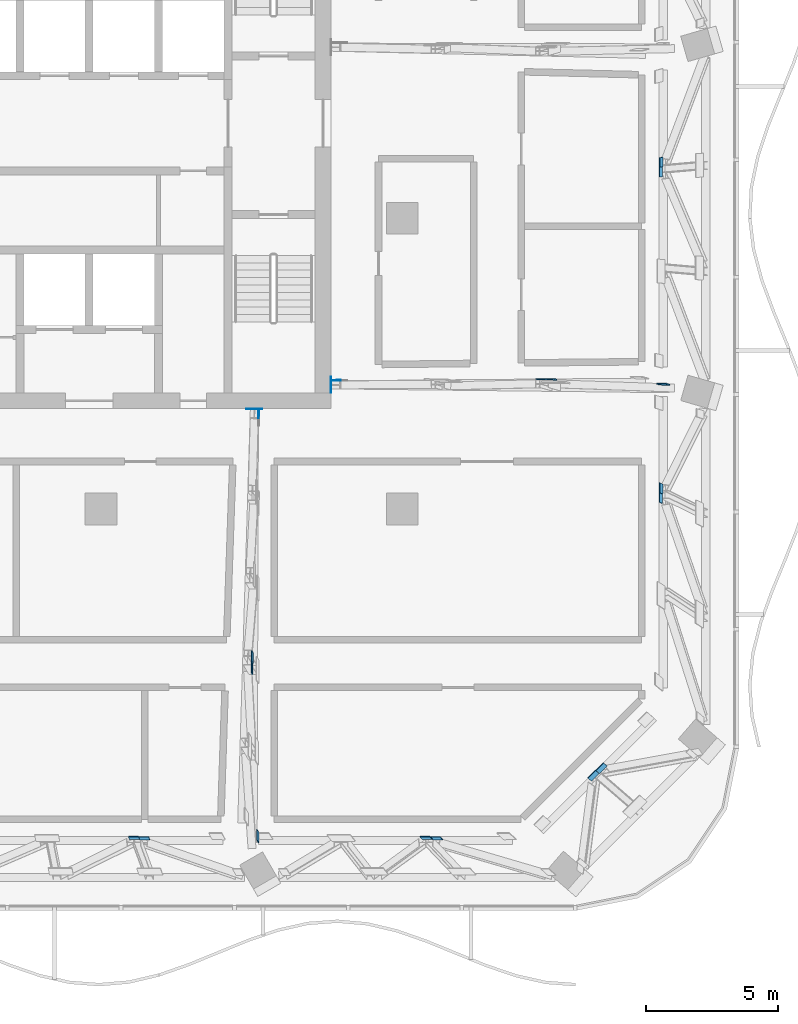
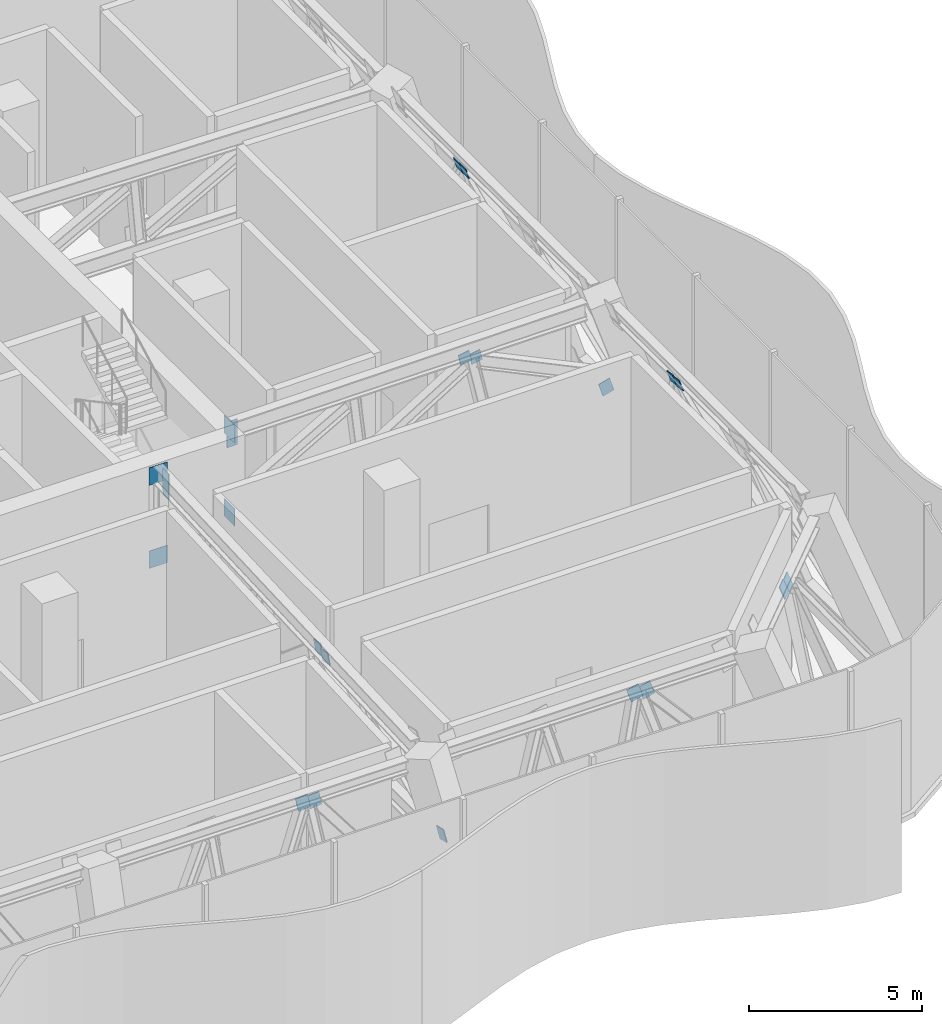
# One storey, part 20 of 29: 22 discrete accessories.
"""IFC4 building model written with IfcOpenShell, lengths in metres."""

from ifc_helpers import new_model, si_unit, direction, frame, origin, origin_2d, place, context, subcontext, project, spatial, rectangle, extrude, material, layer, layer_set, type_object, element, save


model = new_model("IFC4")

# Units and contexts
model_context = context("Model", 3, precision=1e-05, world=origin(), true_north=direction((0.0, 1.0)))
body_context = subcontext(model_context, "Body", "Model", "MODEL_VIEW")
ifc_project = project(units=[si_unit("LENGTHUNIT", "METRE"), si_unit("AREAUNIT", "SQUARE_METRE"), si_unit("VOLUMEUNIT", "CUBIC_METRE"), si_unit("PLANEANGLEUNIT", "RADIAN"), si_unit("MASSUNIT", "GRAM", prefix="KILO")], contexts=[model_context])

# Site, building, storey
site_placement = place(None, origin())
site = spatial("IfcSite", under=ifc_project, at=site_placement, CompositionType="ELEMENT")
building_placement = place(site_placement, origin())
building = spatial("IfcBuilding", under=site, at=building_placement, Name="Mopane Tessera Tower", CompositionType="ELEMENT")
storey_placement = place(building_placement, frame((0.0, 0.0, 315.39990234375)))
storey = spatial("IfcBuildingStorey", under=building, at=storey_placement, Name="L69", CompositionType="ELEMENT", Elevation=315.39990234375)

# Discrete accessories
ifc_material_1 = material(Name="Structural steel S460", Category="steel")
ifc_layer_1 = layer(ifc_material_1, 0.014892578125)
ifc_layer_set_1 = layer_set([ifc_layer_1], Name="Structural steel S460")
discrete_accessory_type_1 = type_object("IfcDiscreteAccessoryType", Name="Cast-in anchor plate 15 mm", PredefinedType="ANCHORPLATE", material=ifc_layer_set_1)
for number, where, z_axis, x_axis, name in (
    (1, (14.407470703125, -6.30029296875, 2.10009765625), (0.0, 0.0, 1.0), (1.0, 0.0, 0.0), "Cast-in anchor plate s ot L69 E1 b"),
    (2, (14.407470703125, -6.2998046875, 5.030029296875), (0.0, 0.0, 1.0), (1.0, 0.0, 0.0), "Cast-in anchor plate s ot L69 E1 t"),
    (3, (11.501220703125, -7.20751953125, 2.10009765625), (0.0, 0.0, 1.0), (0.0, -1.0, 0.0), "Cast-in anchor plate s ot L69 S3 b"),
    (4, (11.500732421875, -7.20751953125, 5.030029296875), (0.0, 0.0, 1.0), (0.0, -1.0, 0.0), "Cast-in anchor plate s ot L69 S3 t"),
):
    element("IfcDiscreteAccessory", number, at=place(storey_placement, frame(where, z_axis=z_axis, x_axis=x_axis)), inside=storey, type_object=discrete_accessory_type_1, Name=name, PredefinedType="ANCHORPLATE", context=body_context, shape_type="SweptSolid", body=[
        extrude(rectangle(XDim=0.014892578125, YDim=0.60498046875, at=origin_2d()), origin(), (0.0, 0.0, 1.0), 0.6201171875),
    ])
ifc_material_2 = material(Name="Structural steel S460", Category="steel")
ifc_layer_2 = layer(ifc_material_2, 0.030029296875)
ifc_layer_set_2 = layer_set([ifc_layer_2], Name="Structural steel S460")
discrete_accessory_type_2 = type_object("IfcDiscreteAccessoryType", Name="Truss node plate 30 mm", PredefinedType="BRACKET", material=ifc_layer_set_2)
discrete_accessory_1_placement = place(storey_placement, frame((14.589599609375, -6.1318359375, 4.580078125), z_axis=(-0.004611993812, 0.001085175015, 0.999988775891), x_axis=(-0.038361252739, 0.99926314021, -0.00126131141)))
element("IfcDiscreteAccessory", 5, at=discrete_accessory_1_placement, inside=storey, type_object=discrete_accessory_type_2, Name="Truss node plate s ot L69 E1 1", PredefinedType="BRACKET", context=body_context, shape_type="SweptSolid", body=[
    extrude(rectangle(XDim=0.030029296875, YDim=0.35009765625, at=origin_2d()), origin(), (0.0, 0.0, 1.0), 0.89990234375),
])
discrete_accessory_2_placement = place(storey_placement, frame((22.398681640625, -6.09716796875, 4.76025390625), z_axis=(-0.188911649404, 0.054544912856, 0.98047806768), x_axis=(0.021548201388, 0.998446023713, -0.051392730496)))
element("IfcDiscreteAccessory", 6, at=discrete_accessory_2_placement, inside=storey, type_object=discrete_accessory_type_2, Name="Truss node plate s ot L69 E1 4", PredefinedType="BRACKET", context=body_context, shape_type="SweptSolid", body=[
    extrude(rectangle(XDim=0.030029296875, YDim=0.35986328125, at=origin_2d()), origin(), (0.0, 0.0, 1.0), 0.366943359375),
])
discrete_accessory_3_placement = place(storey_placement, frame((22.767333984375, -6.10107421875, 4.66748046875), z_axis=(-0.197200504573, 0.057101829607, 0.978698800475), x_axis=(0.023186938557, 0.99829468772, -0.05357314952)))
element("IfcDiscreteAccessory", 7, at=discrete_accessory_3_placement, inside=storey, type_object=discrete_accessory_type_2, Name="Truss node plate s ot L69 E1 6", PredefinedType="BRACKET", context=body_context, shape_type="SweptSolid", body=[
    extrude(rectangle(XDim=0.030029296875, YDim=0.35986328125, at=origin_2d()), origin(), (0.0, 0.0, 1.0), 0.36767578125),
])
discrete_accessory_4_placement = place(storey_placement, frame((27.031494140625, -6.292236328125, 2.193359375), z_axis=(-0.27478149872, 0.079357328707, 0.958226247992), x_axis=(0.032706240365, 0.996782933613, -0.073171614026)))
element("IfcDiscreteAccessory", 8, at=discrete_accessory_4_placement, inside=storey, type_object=discrete_accessory_type_2, Name="Truss node plate s ot L69 E1 8", PredefinedType="BRACKET", context=body_context, shape_type="SweptSolid", body=[
    extrude(rectangle(XDim=0.030029296875, YDim=0.382568359375, at=origin_2d()), origin(), (0.0, 0.0, 1.0), 0.4521484375),
])
discrete_accessory_5_placement = place(storey_placement, frame((11.664306640625, -7.389404296875, 4.580078125), z_axis=(-0.001627771387, 0.002984247543, 0.999994222297), x_axis=(0.999617413732, -0.027606224468, 0.001709542309)))
element("IfcDiscreteAccessory", 9, at=discrete_accessory_5_placement, inside=storey, type_object=discrete_accessory_type_2, Name="Truss node plate s ot L69 S3 1", PredefinedType="BRACKET", context=body_context, shape_type="SweptSolid", body=[
    extrude(rectangle(XDim=0.030029296875, YDim=0.35009765625, at=origin_2d()), origin(), (0.0, 0.0, 1.0), 0.89990234375),
])
discrete_accessory_6_placement = place(storey_placement, frame((11.435791015625, -16.637939453125, 4.745361328125), z_axis=(-0.08667752402, 0.150085914075, 0.984866095074), x_axis=(0.996231246237, 0.009871758371, 0.086173385723)))
element("IfcDiscreteAccessory", 10, at=discrete_accessory_6_placement, inside=storey, type_object=discrete_accessory_type_2, Name="Truss node plate s ot L69 S3 6", PredefinedType="BRACKET", context=body_context, shape_type="SweptSolid", body=[
    extrude(rectangle(XDim=0.030029296875, YDim=0.41357421875, at=origin_2d()), origin(), (0.0, 0.0, 1.0), 0.419677734375),
])
discrete_accessory_7_placement = place(storey_placement, frame((11.43310546875, -17.058349609375, 4.667236328125), z_axis=(-0.090576314756, 0.156186081213, 0.983565879461), x_axis=(0.995888495534, 0.012790206319, 0.089680070722)))
element("IfcDiscreteAccessory", 11, at=discrete_accessory_7_placement, inside=storey, type_object=discrete_accessory_type_2, Name="Truss node plate s ot L69 S3 8", PredefinedType="BRACKET", context=body_context, shape_type="SweptSolid", body=[
    extrude(rectangle(XDim=0.030029296875, YDim=0.41357421875, at=origin_2d()), origin(), (0.0, 0.0, 1.0), 0.42041015625),
])
discrete_accessory_8_placement = place(storey_placement, frame((11.654296875, -23.4296875, 2.19921875), z_axis=(-0.139576199359, 0.241338926382, 0.960350981249), x_axis=(0.990208107512, 0.031542511996, 0.135988873642)))
element("IfcDiscreteAccessory", 12, at=discrete_accessory_8_placement, inside=storey, type_object=discrete_accessory_type_2, Name="Truss node plate s ot L69 S3 11", PredefinedType="BRACKET", context=body_context, shape_type="SweptSolid", body=[
    extrude(rectangle(XDim=0.030029296875, YDim=0.421630859375, at=origin_2d()), origin(), (0.0, 0.0, 1.0), 0.43896484375),
])
discrete_accessory_9_placement = place(storey_placement, frame((6.963623046875, -23.500244140625, 4.9921875), z_axis=(-0.093340056183, 0.256833785167, 0.961937649075), x_axis=(0.02544129296, 0.966455392144, -0.255571351305)))
element("IfcDiscreteAccessory", 13, at=discrete_accessory_9_placement, inside=storey, type_object=discrete_accessory_type_2, Name="Truss node plate s bt L69 S2-S3 4", PredefinedType="BRACKET", context=body_context, shape_type="SweptSolid", body=[
    extrude(rectangle(XDim=0.030029296875, YDim=0.39501953125, at=origin_2d()), origin(), (0.0, 0.0, 1.0), 0.41064453125),
])
discrete_accessory_10_placement = place(storey_placement, frame((7.3466796875, -23.5087890625, 4.959716796875), z_axis=(-0.098655128964, 0.256146750502, 0.961590353392), x_axis=(0.025142695989, 0.966637418401, -0.254911643879)))
element("IfcDiscreteAccessory", 14, at=discrete_accessory_10_placement, inside=storey, type_object=discrete_accessory_type_2, Name="Truss node plate s bt L69 S2-S3 6", PredefinedType="BRACKET", context=body_context, shape_type="SweptSolid", body=[
    extrude(rectangle(XDim=0.030029296875, YDim=0.39501953125, at=origin_2d()), origin(), (0.0, 0.0, 1.0), 0.410888671875),
])
discrete_accessory_11_placement = place(storey_placement, frame((18.05322265625, -23.500244140625, 4.991943359375), z_axis=(-0.236027476501, 0.250454583866, 0.938916147351), x_axis=(0.061897710376, 0.968127988699, -0.242686775385)))
element("IfcDiscreteAccessory", 15, at=discrete_accessory_11_placement, inside=storey, type_object=discrete_accessory_type_2, Name="Truss node plate s bt L69 S3-S4 4", PredefinedType="BRACKET", context=body_context, shape_type="SweptSolid", body=[
    extrude(rectangle(XDim=0.030029296875, YDim=0.397216796875, at=origin_2d()), origin(), (0.0, 0.0, 1.0), 0.423095703125),
])
discrete_accessory_12_placement = place(storey_placement, frame((18.443115234375, -23.508544921875, 4.96044921875), z_axis=(-0.240957533259, 0.249604334691, 0.937889728736), x_axis=(0.061466369971, 0.968347696899, -0.241918629446)))
element("IfcDiscreteAccessory", 16, at=discrete_accessory_12_placement, inside=storey, type_object=discrete_accessory_type_2, Name="Truss node plate s bt L69 S3-S4 6", PredefinedType="BRACKET", context=body_context, shape_type="SweptSolid", body=[
    extrude(rectangle(XDim=0.030029296875, YDim=0.397216796875, at=origin_2d()), origin(), (0.0, 0.0, 1.0), 0.423583984375),
])
for number, where, z_axis, x_axis, name in (
    (17, (24.3935546875, -21.148681640625, 4.990234375), (-0.285606381772, 0.246861329981, 0.9260067378), (-0.647480934435, 0.662663279889, -0.376358628212), "Truss node plate s bt L69 S4-E0 2"),
    (18, (24.69677734375, -20.859130859375, 4.966552734375), (-0.285606381772, 0.246861329981, 0.9260067378), (-0.647480934435, 0.662663279889, -0.376358628212), "Truss node plate s bt L69 S4-E0 4"),
):
    element("IfcDiscreteAccessory", number, at=place(storey_placement, frame(where, z_axis=z_axis, x_axis=x_axis)), inside=storey, type_object=discrete_accessory_type_2, Name=name, PredefinedType="BRACKET", context=body_context, shape_type="SweptSolid", body=[
        extrude(rectangle(XDim=0.030029296875, YDim=0.408447265625, at=origin_2d()), origin(), (0.0, 0.0, 1.0), 0.441162109375),
    ])
discrete_accessory_13_placement = place(storey_placement, frame((26.94189453125, -10.61083984375, 4.9931640625), z_axis=(-0.291474795983, 0.143318520016, 0.945781288209), x_axis=(-0.956578508667, -0.043661716624, -0.288186070548)))
element("IfcDiscreteAccessory", 19, at=discrete_accessory_13_placement, inside=storey, type_object=discrete_accessory_type_2, Name="Truss node plate s bt L69 E0-E1 4", PredefinedType="BRACKET", context=body_context, shape_type="SweptSolid", body=[
    extrude(rectangle(XDim=0.030029296875, YDim=0.3818359375, at=origin_2d()), origin(), (0.0, 0.0, 1.0), 0.40380859375),
])
discrete_accessory_14_placement = place(storey_placement, frame((26.95361328125, -10.24951171875, 4.95556640625), z_axis=(-0.291673679677, 0.138575254452, 0.94642662866), x_axis=(-0.956517826812, -0.041910609656, -0.288647099049)))
element("IfcDiscreteAccessory", 20, at=discrete_accessory_14_placement, inside=storey, type_object=discrete_accessory_type_2, Name="Truss node plate s bt L69 E0-E1 6", PredefinedType="BRACKET", context=body_context, shape_type="SweptSolid", body=[
    extrude(rectangle(XDim=0.030029296875, YDim=0.3818359375, at=origin_2d()), origin(), (0.0, 0.0, 1.0), 0.403564453125),
])
discrete_accessory_15_placement = place(storey_placement, frame((26.94189453125, 1.7626953125, 4.993408203125), z_axis=(-0.294472078898, -0.024590570263, 0.955343654715), x_axis=(-0.955658362517, 0.005680148503, -0.294422876258)))
element("IfcDiscreteAccessory", 21, at=discrete_accessory_15_placement, inside=storey, type_object=discrete_accessory_type_2, Name="Truss node plate s bt L69 E1-E2 4", PredefinedType="BRACKET", context=body_context, shape_type="SweptSolid", body=[
    extrude(rectangle(XDim=0.030029296875, YDim=0.37939453125, at=origin_2d()), origin(), (0.0, 0.0, 1.0), 0.397216796875),
])
discrete_accessory_16_placement = place(storey_placement, frame((26.953857421875, 2.12841796875, 4.954833984375), z_axis=(-0.29482110706, -0.029482110706, 0.955097544746), x_axis=(-0.95555141, 0.007610429732, -0.294726286928)))
element("IfcDiscreteAccessory", 22, at=discrete_accessory_16_placement, inside=storey, type_object=discrete_accessory_type_2, Name="Truss node plate s bt L69 E1-E2 6", PredefinedType="BRACKET", context=body_context, shape_type="SweptSolid", body=[
    extrude(rectangle(XDim=0.030029296875, YDim=0.37939453125, at=origin_2d()), origin(), (0.0, 0.0, 1.0), 0.3974609375),
])

save(model, "model.ifc")
